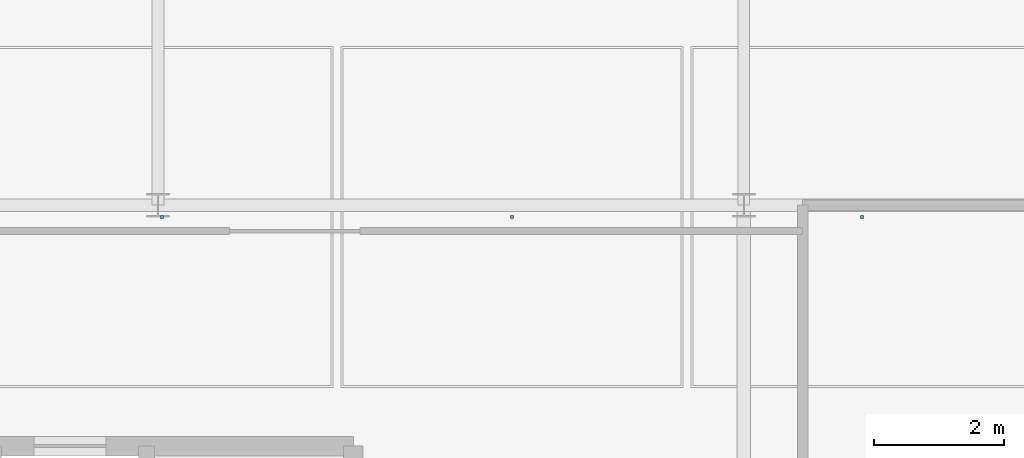
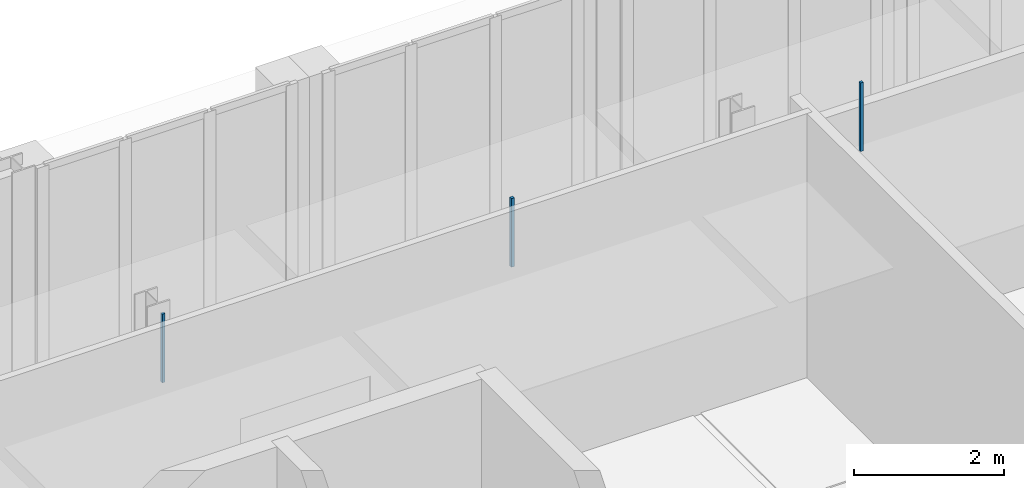
# One storey, part 120 of 140: 3 discrete accessories.
"""IFC4 building model written with IfcOpenShell, lengths in metres."""

from ifc_helpers import new_model, si_unit, direction, frame, origin, origin_2d, place, context, subcontext, project, spatial, rectangle, extrude, material, type_object, element, save


model = new_model("IFC4")

# Units and contexts
model_context = context("Model", 3, precision=1e-05, world=origin(), true_north=direction((0.0, 1.0)))
body_context = subcontext(model_context, "Body", "Model", "MODEL_VIEW")
ifc_project = project(units=[si_unit("LENGTHUNIT", "METRE"), si_unit("AREAUNIT", "SQUARE_METRE"), si_unit("VOLUMEUNIT", "CUBIC_METRE"), si_unit("PLANEANGLEUNIT", "RADIAN"), si_unit("MASSUNIT", "GRAM", prefix="KILO"), si_unit("THERMODYNAMICTEMPERATUREUNIT", "KELVIN"), si_unit("POWERUNIT", "WATT")], contexts=[model_context])

# Site, building, storey
site_placement = place(None, origin())
site = spatial("IfcSite", under=ifc_project, at=site_placement, CompositionType="ELEMENT")
building_placement = place(site_placement, origin())
building = spatial("IfcBuilding", under=site, at=building_placement, Name="Tallowbark Science Centre", CompositionType="ELEMENT")
storey_placement = place(building_placement, frame((0.0, 0.0, 9.89990234375)))
storey = spatial("IfcBuildingStorey", under=building, at=storey_placement, Name="L02", CompositionType="ELEMENT", Elevation=9.89990234375)

# Discrete accessories
ifc_material = material(Name="Galvanised Steel Grade C350L0 (350 MPa)", Category="steel")
discrete_accessory_type = type_object("IfcDiscreteAccessoryType", Name="ACC-CLG-HNG", PredefinedType="BRACKET", material=ifc_material)
for number, where, z_axis, x_axis, name in (
    (1, (121.5625, 107.8212890625, 3.2060546875), (0.0, 0.0, 1.0), (1.0, 0.0, 0.0), "Ceiling Hanger Bracket L02-914"),
    (2, (126.9375, 107.8212890625, 3.2060546875), (0.0, 0.0, 1.0), (1.0, 0.0, 0.0), "Ceiling Hanger Bracket L02-916"),
    (3, (132.3125, 107.8212890625, 3.2060546875), (0.0, 0.0, 1.0), (1.0, 0.0, 0.0), "Ceiling Hanger Bracket L02-921"),
):
    element("IfcDiscreteAccessory", number, at=place(storey_placement, frame(where, z_axis=z_axis, x_axis=x_axis)), inside=storey, type_object=discrete_accessory_type, Name=name, PredefinedType="BRACKET", context=body_context, shape_type="SweptSolid", body=[
        extrude(rectangle(XDim=0.044921875, YDim=0.044921875, at=origin_2d()), origin(), (0.0, 0.0, 1.0), 1.116943359375),
    ])

save(model, "model.ifc")
